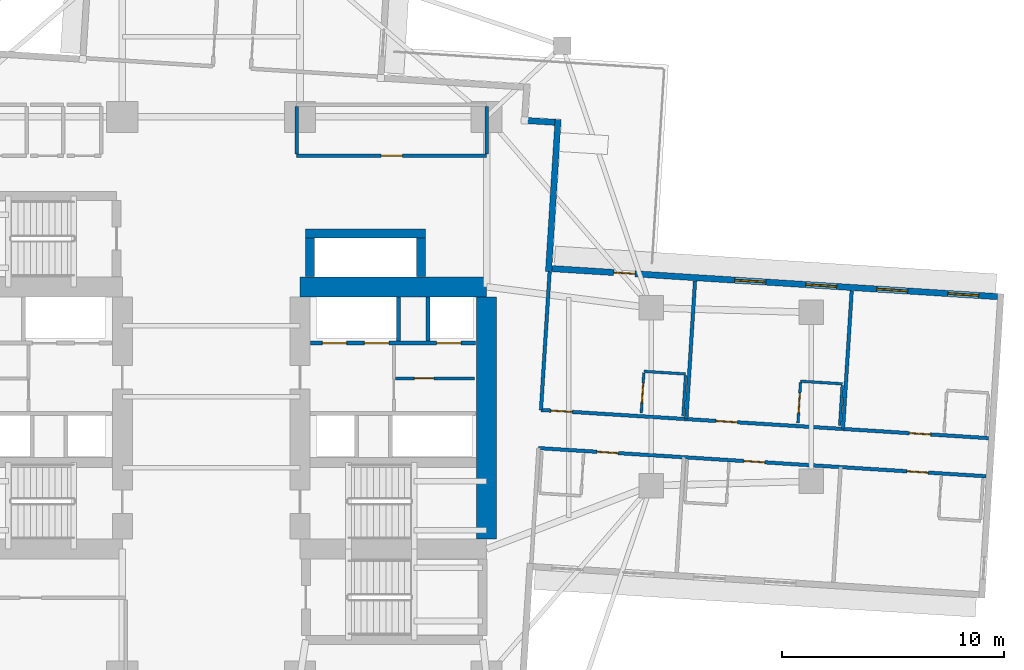
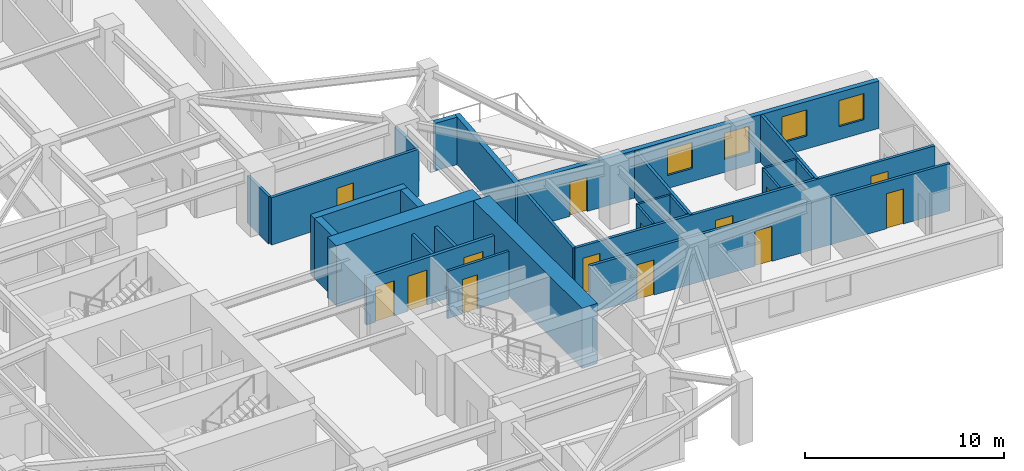
# One storey, part 7 of 14: 26 walls, 14 doors, 4 windows, 18 openings.
"""IFC4 building model written with IfcOpenShell, lengths in metres."""

from ifc_helpers import new_model, si_unit, direction, frame, frame_2d, origin, place, context, subcontext, project, spatial, rectangle, extrude, material, layer, layer_set, type_object, element, fill, save


model = new_model("IFC4")

# Units and contexts
model_context = context("Model", 3, precision=1e-05, world=origin(), true_north=direction((0.0, 1.0)))
body_context = subcontext(model_context, "Body", "Model", "MODEL_VIEW")
ifc_project = project(units=[si_unit("LENGTHUNIT", "METRE"), si_unit("AREAUNIT", "SQUARE_METRE"), si_unit("VOLUMEUNIT", "CUBIC_METRE"), si_unit("PLANEANGLEUNIT", "RADIAN"), si_unit("MASSUNIT", "GRAM", prefix="KILO")], contexts=[model_context])

# Site, building, storey
site_placement = place(None, origin())
site = spatial("IfcSite", under=ifc_project, at=site_placement, CompositionType="ELEMENT")
building_placement = place(site_placement, origin())
building = spatial("IfcBuilding", under=site, at=building_placement, Name="Qingluan Cross Belvedere", CompositionType="ELEMENT")
storey_placement = place(building_placement, frame((0.0, 0.0, 79.5)))
storey = spatial("IfcBuildingStorey", under=building, at=storey_placement, Name="L20", CompositionType="ELEMENT", Elevation=79.5)

# Walls
ifc_material_1 = material(Name="Concrete C50", Category="concrete")
ifc_layer_1 = layer(ifc_material_1, 0.449951171875, Name="CoreShearWall_450")
ifc_layer_set_1 = layer_set([ifc_layer_1], Name="Concrete C50")
wall_type_1 = type_object("IfcWallType", Name="CoreShearWall_450", PredefinedType="SHEAR", material=ifc_layer_set_1)
wall_1_placement = place(storey_placement, frame((4.449951171875, 5.405029296875, 0.0), z_axis=(0.0, 0.0, 1.0), x_axis=(0.0, 1.0, 0.0)))
element("IfcWall", 1, at=wall_1_placement, inside=storey, type_object=wall_type_1, Name="Express shuttle core wall L20-W", PredefinedType="SHEAR", context=body_context, shape_type="SweptSolid", body=[
    extrude(rectangle(XDim=1.73486328125, YDim=0.39990234375, at=frame_2d((0.867431640625, 0.0))), origin(), (0.0, 0.0, 1.0), 3.699951171875),
])
wall_2_placement = place(storey_placement, frame((4.25, 7.35009765625, 0.0), z_axis=(0.0, 0.0, 1.0), x_axis=(1.0, 0.0, 0.0)))
element("IfcWall", 2, at=wall_2_placement, inside=storey, type_object=wall_type_1, Name="Express shuttle core wall L20-N", PredefinedType="SHEAR", context=body_context, shape_type="SweptSolid", body=[
    extrude(rectangle(XDim=5.39990234375, YDim=0.39990234375, at=frame_2d((2.699951171875, 0.0))), origin(), (0.0, 0.0, 1.0), 3.699951171875),
])
wall_3_placement = place(storey_placement, frame((9.449951171875, 5.405029296875, 0.0), z_axis=(0.0, 0.0, 1.0), x_axis=(0.0, 1.0, 0.0)))
element("IfcWall", 3, at=wall_3_placement, inside=storey, type_object=wall_type_1, Name="Express shuttle core wall L20-E", PredefinedType="SHEAR", context=body_context, shape_type="SweptSolid", body=[
    extrude(rectangle(XDim=1.73486328125, YDim=0.39990234375, at=frame_2d((0.867431640625, 0.0))), origin(), (0.0, 0.0, 1.0), 3.699951171875),
])
ifc_material_2 = material(Name="Concrete C70", Category="concrete")
ifc_layer_2 = layer(ifc_material_2, 0.89990234375, Name="CoreShearWall_900")
ifc_layer_set_2 = layer_set([ifc_layer_2], Name="Concrete C70")
wall_type_2 = type_object("IfcWallType", Name="CoreShearWall_900", PredefinedType="SHEAR", material=ifc_layer_set_2)
wall_4_placement = place(storey_placement, frame((4.0, 4.949951171875, 0.0), z_axis=(0.0, 0.0, 1.0), x_axis=(1.0, 0.0, 0.0)))
element("IfcWall", 4, at=wall_4_placement, inside=storey, type_object=wall_type_2, Name="Split core E shear wall L20-N", PredefinedType="SHEAR", context=body_context, shape_type="SweptSolid", body=[
    extrude(rectangle(XDim=8.39990234375, YDim=0.89990234375, at=frame_2d((4.199951171875, 0.0))), origin(), (0.0, 0.0, 1.0), 3.699951171875),
])
wall_5_placement = place(storey_placement, frame((12.39990234375, -6.39501953125, 0.0), z_axis=(0.0, 0.0, 1.0), x_axis=(0.0, 1.0, 0.0)))
element("IfcWall", 5, at=wall_5_placement, inside=storey, type_object=wall_type_2, Name="Split core E shear wall L20-E", PredefinedType="SHEAR", context=body_context, shape_type="SweptSolid", body=[
    extrude(rectangle(XDim=10.89013671875, YDim=0.89990234375, at=frame_2d((5.445068359375, 0.0))), origin(), (0.0, 0.0, 1.0), 3.699951171875),
])

# Wall, opening, door
ifc_material_3 = material(Name="Gypsum plasterboard on steel stud acoustic partition", Category="steel")
ifc_layer_3 = layer(ifc_material_3, 0.159912109375, Name="CorridorPartition_160")
ifc_layer_set_3 = layer_set([ifc_layer_3], Name="Gypsum plasterboard on steel stud acoustic partition")
wall_type_3 = type_object("IfcWallType", Name="CorridorPartition_160", PredefinedType="PARTITIONING", material=ifc_layer_set_3)
wall_6_placement = place(storey_placement, frame((8.298095703125, 0.830078125, 0.0), z_axis=(0.0, 0.0, 1.0), x_axis=(1.0, 0.0, 0.0)))
wall_6 = element("IfcWall", 6, at=wall_6_placement, inside=storey, type_object=wall_type_3, Name="Partition L20:e", PredefinedType="PARTITIONING", context=body_context, shape_type="SweptSolid", body=[
    extrude(rectangle(XDim=3.552001953125, YDim=0.139892578125, at=frame_2d((1.77587890625, 0.0))), origin(), (0.0, 0.0, 1.0), 2.89990234375),
])
opening_1_placement = place(wall_6_placement, frame((0.85009765625, 0.0, 0.0)))
opening_1 = element("IfcOpeningElement", 7, at=opening_1_placement, cuts=wall_6, Name="Opening FD-B10", PredefinedType="OPENING", context=body_context, shape_type="SweptSolid", body=[
    extrude(rectangle(XDim=0.8798828125, YDim=2.10009765625, at=frame_2d((0.43994140625, 1.050048828125))), frame((0.0, 0.079833984375, 0.0), z_axis=(0.0, -1.0, 0.0), x_axis=(1.0, 0.0, 0.0)), (0.0, 0.0, 1.0), 0.159912109375),
])
ifc_material_4 = material(Name="Steel Class B service fire door", Category="steel")
door_type_1 = type_object("IfcDoorType", Name="RiserServiceFireDoor_FDB", OperationType="NOTDEFINED", PredefinedType="DOOR", material=ifc_material_4)
door_1_placement = place(opening_1_placement, origin())
door_1 = element("IfcDoor", 8, at=door_1_placement, inside=storey, type_object=door_type_1, Name="Service closet inner door L20", OperationType="SINGLE_SWING_LEFT", OverallHeight=2.10009765625, OverallWidth=0.8798828125, PredefinedType="DOOR", context=body_context, shape_type="SweptSolid", body=[
    extrude(rectangle(XDim=0.8798828125, YDim=2.10009765625, at=frame_2d((0.43994140625, 1.050048828125))), frame((0.0, 0.02490234375, 0.0), z_axis=(0.0, -1.0, 0.0), x_axis=(1.0, 0.0, 0.0)), (0.0, 0.0, 1.0), 0.050048828125),
])
fill(opening_1, door_1)

wall_7_placement = place(storey_placement, frame((3.85009765625, 10.85009765625, 0.0), z_axis=(0.0, 0.0, 1.0), x_axis=(1.0, 0.0, 0.0)))
wall_7 = element("IfcWall", 9, at=wall_7_placement, inside=storey, type_object=wall_type_3, Name="Partition L20:q_ne:S", PredefinedType="PARTITIONING", context=body_context, shape_type="SweptSolid", body=[
    extrude(rectangle(XDim=8.5498046875, YDim=0.159912109375, at=frame_2d((4.27490234375, 0.0))), origin(), (0.0, 0.0, 1.0), 2.89990234375),
])
opening_2_placement = place(wall_7_placement, frame((3.794921875, 0.0, 0.0)))
opening_2 = element("IfcOpeningElement", 10, at=opening_2_placement, cuts=wall_7, Name="Opening GD-10", PredefinedType="OPENING", context=body_context, shape_type="SweptSolid", body=[
    extrude(rectangle(XDim=0.9599609375, YDim=2.14990234375, at=frame_2d((0.47998046875, 1.074951171875))), frame((0.0, 0.08984375, 0.0), z_axis=(0.0, -1.0, 0.0), x_axis=(1.0, 0.0, 0.0)), (0.0, 0.0, 1.0), 0.179931640625),
])
ifc_material_5 = material(Name="Timber oak fire-rated acoustic guestroom door", Category="wood")
door_type_2 = type_object("IfcDoorType", Name="GuestEntryDoor_FD60", OperationType="NOTDEFINED", PredefinedType="DOOR", material=ifc_material_5)
door_2_placement = place(opening_2_placement, origin())
door_2 = element("IfcDoor", 11, at=door_2_placement, inside=storey, type_object=door_type_2, Name="Cantonese tea lounge L20 door", OperationType="SINGLE_SWING_LEFT", OverallHeight=2.14990234375, OverallWidth=0.9599609375, PredefinedType="DOOR", context=body_context, shape_type="SweptSolid", body=[
    extrude(rectangle(XDim=0.9599609375, YDim=2.14990234375, at=frame_2d((0.47998046875, 1.074951171875))), frame((0.0, 0.02490234375, 0.0), z_axis=(0.0, -1.0, 0.0), x_axis=(1.0, 0.0, 0.0)), (0.0, 0.0, 1.0), 0.050048828125),
])
fill(opening_2, door_2)

# Walls
for number, where, z_axis, x_axis, name in (
    (12, (3.85009765625, 10.93505859375, 0.0), (0.0, 0.0, 1.0), (0.0, 1.0, 0.0), "Partition L20:q_ne:W"),
    (13, (12.39990234375, 10.93505859375, 0.0), (0.0, 0.0, 1.0), (0.0, 1.0, 0.0), "Partition L20:q_ne:E"),
):
    element("IfcWall", number, at=place(storey_placement, frame(where, z_axis=z_axis, x_axis=x_axis)), inside=storey, type_object=wall_type_3, Name=name, PredefinedType="PARTITIONING", context=body_context, shape_type="SweptSolid", body=[
        extrude(rectangle(XDim=2.1298828125, YDim=0.159912109375, at=frame_2d((1.06494140625, 0.0))), origin(), (0.0, 0.0, 1.0), 2.89990234375),
    ])

# Wall, openings, doors
wall_8_placement = place(storey_placement, frame((14.842041015625, -0.593017578125, 0.0), z_axis=(0.0, 0.0, 1.0), x_axis=(0.998026414479, -0.062795509413, 0.0)))
wall_8 = element("IfcWall", 14, at=wall_8_placement, inside=storey, type_object=wall_type_3, Name="Partition L20:E:c0", PredefinedType="PARTITIONING", context=body_context, shape_type="SweptSolid", body=[
    extrude(rectangle(XDim=20.181884765625, YDim=0.159912109375, at=frame_2d((10.0908203125, 0.0))), origin(), (0.0, 0.0, 1.0), 2.89990234375),
])
opening_3_placement = place(wall_8_placement, frame((0.449951171875, 0.0, 0.0)))
opening_3 = element("IfcOpeningElement", 15, at=opening_3_placement, cuts=wall_8, Name="Opening GD-10", PredefinedType="OPENING", context=body_context, shape_type="SweptSolid", body=[
    extrude(rectangle(XDim=0.9599609375, YDim=2.14990234375, at=frame_2d((0.47998046875, 1.074951171875))), frame((0.0, 0.08984375, 0.0), z_axis=(0.0, -1.0, 0.0), x_axis=(1.0, 0.0, 0.0)), (0.0, 0.0, 1.0), 0.179931640625),
])
opening_4_placement = place(wall_8_placement, frame((7.89599609375, 0.0, 0.0)))
opening_4 = element("IfcOpeningElement", 16, at=opening_4_placement, cuts=wall_8, Name="Opening GD-10", PredefinedType="OPENING", context=body_context, shape_type="SweptSolid", body=[
    extrude(rectangle(XDim=0.9599609375, YDim=2.14990234375, at=frame_2d((0.47998046875, 1.074951171875))), frame((0.0, 0.08984375, 0.0), z_axis=(0.0, -1.0, 0.0), x_axis=(1.0, 0.0, 0.0)), (0.0, 0.0, 1.0), 0.179931640625),
])
opening_5_placement = place(wall_8_placement, frame((16.611083984375, 0.0, 0.0)))
opening_5 = element("IfcOpeningElement", 17, at=opening_5_placement, cuts=wall_8, Name="Opening GD-10", PredefinedType="OPENING", context=body_context, shape_type="SweptSolid", body=[
    extrude(rectangle(XDim=0.9599609375, YDim=2.14990234375, at=frame_2d((0.47998046875, 1.074951171875))), frame((0.0, 0.08984375, 0.0), z_axis=(0.0, -1.0, 0.0), x_axis=(1.0, 0.0, 0.0)), (0.0, 0.0, 1.0), 0.179931640625),
])
door_3_placement = place(opening_3_placement, origin())
door_3 = element("IfcDoor", 18, at=door_3_placement, inside=storey, type_object=door_type_2, Name="Guest entry fire door 2001", OperationType="SINGLE_SWING_LEFT", OverallHeight=2.14990234375, OverallWidth=0.9599609375, PredefinedType="DOOR", context=body_context, shape_type="SweptSolid", body=[
    extrude(rectangle(XDim=0.9599609375, YDim=2.14990234375, at=frame_2d((0.47998046875, 1.074951171875))), frame((0.0, 0.02490234375, 0.0), z_axis=(0.0, -1.0, 0.0), x_axis=(1.0, 0.0, 0.0)), (0.0, 0.0, 1.0), 0.050048828125),
])
fill(opening_3, door_3)
door_4_placement = place(opening_4_placement, origin())
door_4 = element("IfcDoor", 19, at=door_4_placement, inside=storey, type_object=door_type_2, Name="Guest entry fire door 2002", OperationType="SINGLE_SWING_LEFT", OverallHeight=2.14990234375, OverallWidth=0.9599609375, PredefinedType="DOOR", context=body_context, shape_type="SweptSolid", body=[
    extrude(rectangle(XDim=0.9599609375, YDim=2.14990234375, at=frame_2d((0.47998046875, 1.074951171875))), frame((0.0, 0.02490234375, 0.0), z_axis=(0.0, -1.0, 0.0), x_axis=(1.0, 0.0, 0.0)), (0.0, 0.0, 1.0), 0.050048828125),
])
fill(opening_4, door_4)
door_5_placement = place(opening_5_placement, origin())
door_5 = element("IfcDoor", 20, at=door_5_placement, inside=storey, type_object=door_type_2, Name="Guest entry fire door 2003", OperationType="SINGLE_SWING_LEFT", OverallHeight=2.14990234375, OverallWidth=0.9599609375, PredefinedType="DOOR", context=body_context, shape_type="SweptSolid", body=[
    extrude(rectangle(XDim=0.9599609375, YDim=2.14990234375, at=frame_2d((0.47998046875, 1.074951171875))), frame((0.0, 0.02490234375, 0.0), z_axis=(0.0, -1.0, 0.0), x_axis=(1.0, 0.0, 0.0)), (0.0, 0.0, 1.0), 0.050048828125),
])
fill(opening_5, door_5)

# Walls
for number, where, z_axis, x_axis, name in (
    (21, (14.842041015625, -0.593017578125, 0.0), (0.0, 0.0, 1.0), (0.062797774922, 0.998026271931, 0.0), "Partition L20:E:s0"),
    (22, (21.385009765625, -1.0048828125, 0.0), (0.0, 0.0, 1.0), (0.062797774922, 0.998026271931, 0.0), "Partition L20:E:d0_0"),
    (23, (28.436279296875, -1.448486328125, 0.0), (0.0, 0.0, 1.0), (0.062758754111, 0.998028726431, 0.0), "Partition L20:E:d0_1"),
):
    element("IfcWall", number, at=place(storey_placement, frame(where, z_axis=z_axis, x_axis=x_axis)), inside=storey, type_object=wall_type_3, Name=name, PredefinedType="PARTITIONING", context=body_context, shape_type="SweptSolid", body=[
        extrude(rectangle(XDim=6.23193359375, YDim=0.159912109375, at=frame_2d((3.115966796875, 0.0))), origin(), (0.0, 0.0, 1.0), 2.89990234375),
    ])

# Wall, openings, doors
wall_9_placement = place(storey_placement, frame((14.73388671875, -2.309814453125, 0.0), z_axis=(0.0, 0.0, 1.0), x_axis=(0.998027220227, -0.06278270212, 0.0)))
wall_9 = element("IfcWall", 24, at=wall_9_placement, inside=storey, type_object=wall_type_3, Name="Partition L20:E:c1", PredefinedType="PARTITIONING", context=body_context, shape_type="SweptSolid", body=[
    extrude(rectangle(XDim=20.18212890625, YDim=0.159912109375, at=frame_2d((10.091064453125, 0.0))), origin(), (0.0, 0.0, 1.0), 2.89990234375),
])
opening_6_placement = place(wall_9_placement, frame((2.635986328125, 0.0, 0.0)))
opening_6 = element("IfcOpeningElement", 25, at=opening_6_placement, cuts=wall_9, Name="Opening GD-10", PredefinedType="OPENING", context=body_context, shape_type="SweptSolid", body=[
    extrude(rectangle(XDim=0.9599609375, YDim=2.14990234375, at=frame_2d((0.47998046875, 1.074951171875))), frame((0.0, 0.08984375, 0.0), z_axis=(0.0, -1.0, 0.0), x_axis=(1.0, 0.0, 0.0)), (0.0, 0.0, 1.0), 0.179931640625),
])
opening_7_placement = place(wall_9_placement, frame((9.242919921875, 0.0, 0.0)))
opening_7 = element("IfcOpeningElement", 26, at=opening_7_placement, cuts=wall_9, Name="Opening GD-10", PredefinedType="OPENING", context=body_context, shape_type="SweptSolid", body=[
    extrude(rectangle(XDim=0.9599609375, YDim=2.14990234375, at=frame_2d((0.47998046875, 1.074951171875))), frame((0.0, 0.08984375, 0.0), z_axis=(0.0, -1.0, 0.0), x_axis=(1.0, 0.0, 0.0)), (0.0, 0.0, 1.0), 0.179931640625),
])
opening_8_placement = place(wall_9_placement, frame((16.611083984375, 0.0, 0.0)))
opening_8 = element("IfcOpeningElement", 27, at=opening_8_placement, cuts=wall_9, Name="Opening GD-10", PredefinedType="OPENING", context=body_context, shape_type="SweptSolid", body=[
    extrude(rectangle(XDim=0.9599609375, YDim=2.14990234375, at=frame_2d((0.47998046875, 1.074951171875))), frame((0.0, 0.08984375, 0.0), z_axis=(0.0, -1.0, 0.0), x_axis=(1.0, 0.0, 0.0)), (0.0, 0.0, 1.0), 0.179931640625),
])
door_6_placement = place(opening_6_placement, origin())
door_6 = element("IfcDoor", 28, at=door_6_placement, inside=storey, type_object=door_type_2, Name="Guest entry fire door 2004", OperationType="SINGLE_SWING_LEFT", OverallHeight=2.14990234375, OverallWidth=0.9599609375, PredefinedType="DOOR", context=body_context, shape_type="SweptSolid", body=[
    extrude(rectangle(XDim=0.9599609375, YDim=2.14990234375, at=frame_2d((0.47998046875, 1.074951171875))), frame((0.0, 0.02490234375, 0.0), z_axis=(0.0, -1.0, 0.0), x_axis=(1.0, 0.0, 0.0)), (0.0, 0.0, 1.0), 0.050048828125),
])
fill(opening_6, door_6)
door_7_placement = place(opening_7_placement, origin())
door_7 = element("IfcDoor", 29, at=door_7_placement, inside=storey, type_object=door_type_2, Name="Guest entry fire door 2005", OperationType="SINGLE_SWING_LEFT", OverallHeight=2.14990234375, OverallWidth=0.9599609375, PredefinedType="DOOR", context=body_context, shape_type="SweptSolid", body=[
    extrude(rectangle(XDim=0.9599609375, YDim=2.14990234375, at=frame_2d((0.47998046875, 1.074951171875))), frame((0.0, 0.02490234375, 0.0), z_axis=(0.0, -1.0, 0.0), x_axis=(1.0, 0.0, 0.0)), (0.0, 0.0, 1.0), 0.050048828125),
])
fill(opening_7, door_7)
door_8_placement = place(opening_8_placement, origin())
door_8 = element("IfcDoor", 30, at=door_8_placement, inside=storey, type_object=door_type_2, Name="Guest entry fire door 2006", OperationType="SINGLE_SWING_LEFT", OverallHeight=2.14990234375, OverallWidth=0.9599609375, PredefinedType="DOOR", context=body_context, shape_type="SweptSolid", body=[
    extrude(rectangle(XDim=0.9599609375, YDim=2.14990234375, at=frame_2d((0.47998046875, 1.074951171875))), frame((0.0, 0.02490234375, 0.0), z_axis=(0.0, -1.0, 0.0), x_axis=(1.0, 0.0, 0.0)), (0.0, 0.0, 1.0), 0.050048828125),
])
fill(opening_8, door_8)

# Wall, opening, door
ifc_material_6 = material(Name="Moisture-resistant gypsum board lining")
ifc_layer_4 = layer(ifc_material_6, 0.1201171875, Name="EnsuiteWetPartition_120")
ifc_layer_set_4 = layer_set([ifc_layer_4], Name="Moisture-resistant gypsum board lining")
wall_type_4 = type_object("IfcWallType", Name="EnsuiteWetPartition_120", PredefinedType="PARTITIONING", material=ifc_layer_set_4)
wall_10_placement = place(storey_placement, frame((19.35791015625, -0.73681640625, 0.0), z_axis=(0.0, 0.0, 1.0), x_axis=(0.062779145668, 0.998027443946, 0.0)))
wall_10 = element("IfcWall", 31, at=wall_10_placement, inside=storey, type_object=wall_type_4, Name="Partition L20:E:bs0_0", PredefinedType="PARTITIONING", context=body_context, shape_type="SweptSolid", body=[
    extrude(rectangle(XDim=1.820068359375, YDim=0.1201171875, at=frame_2d((0.91015625, 0.0))), origin(), (0.0, 0.0, 1.0), 2.89990234375),
])
opening_9_placement = place(wall_10_placement, frame((0.469970703125, 0.0, 0.0)))
opening_9 = element("IfcOpeningElement", 32, at=opening_9_placement, cuts=wall_10, Name="Opening BD-09", PredefinedType="OPENING", context=body_context, shape_type="SweptSolid", body=[
    extrude(rectangle(XDim=0.8798828125, YDim=2.10009765625, at=frame_2d((0.43994140625, 1.050048828125))), frame((0.0, 0.070068359375, 0.0), z_axis=(0.0, -1.0, 0.0), x_axis=(1.0, 0.0, 0.0)), (0.0, 0.0, 1.0), 0.14013671875),
])
ifc_material_7 = material(Name="Moisture-sealed timber en-suite door", Category="wood")
door_type_3 = type_object("IfcDoorType", Name="BathroomDoor_880", OperationType="NOTDEFINED", PredefinedType="DOOR", material=ifc_material_7)
door_9_placement = place(opening_9_placement, origin())
door_9 = element("IfcDoor", 33, at=door_9_placement, inside=storey, type_object=door_type_3, Name="Bathroom door 2001", OperationType="SINGLE_SWING_RIGHT", OverallHeight=2.10009765625, OverallWidth=0.8798828125, PredefinedType="DOOR", context=body_context, shape_type="SweptSolid", body=[
    extrude(rectangle(XDim=0.8798828125, YDim=2.10009765625, at=frame_2d((0.43994140625, 1.050048828125))), frame((0.0, 0.02490234375, 0.0), z_axis=(0.0, -1.0, 0.0), x_axis=(1.0, 0.0, 0.0)), (0.0, 0.0, 1.0), 0.050048828125),
])
fill(opening_9, door_9)

# Walls
wall_11_placement = place(storey_placement, frame((21.234130859375, -0.85498046875, 0.0), z_axis=(0.0, 0.0, 1.0), x_axis=(0.062779145668, 0.998027443946, 0.0)))
element("IfcWall", 34, at=wall_11_placement, inside=storey, type_object=wall_type_4, Name="Partition L20:E:bw0_0", PredefinedType="PARTITIONING", context=body_context, shape_type="SweptSolid", body=[
    extrude(rectangle(XDim=1.820068359375, YDim=0.1201171875, at=frame_2d((0.91015625, 0.0))), origin(), (0.0, 0.0, 1.0), 2.89990234375),
])
wall_12_placement = place(storey_placement, frame((19.476318359375, 1.144287109375, 0.0), z_axis=(0.0, 0.0, 1.0), x_axis=(0.998030789148, -0.062725942896, 0.0)))
element("IfcWall", 35, at=wall_12_placement, inside=storey, type_object=wall_type_4, Name="Partition L20:E:bn0_0", PredefinedType="PARTITIONING", context=body_context, shape_type="SweptSolid", body=[
    extrude(rectangle(XDim=1.8798828125, YDim=0.1201171875, at=frame_2d((0.93994140625, 0.0))), origin(), (0.0, 0.0, 1.0), 2.89990234375),
])

# Wall, opening, door
wall_13_placement = place(storey_placement, frame((26.408935546875, -1.1806640625, 0.0), z_axis=(0.0, 0.0, 1.0), x_axis=(0.062779145668, 0.998027443946, 0.0)))
wall_13 = element("IfcWall", 36, at=wall_13_placement, inside=storey, type_object=wall_type_4, Name="Partition L20:E:bs0_1", PredefinedType="PARTITIONING", context=body_context, shape_type="SweptSolid", body=[
    extrude(rectangle(XDim=1.820068359375, YDim=0.1201171875, at=frame_2d((0.91015625, 0.0))), origin(), (0.0, 0.0, 1.0), 2.89990234375),
])
opening_10_placement = place(wall_13_placement, frame((0.469970703125, 0.0, 0.0)))
opening_10 = element("IfcOpeningElement", 37, at=opening_10_placement, cuts=wall_13, Name="Opening BD-09", PredefinedType="OPENING", context=body_context, shape_type="SweptSolid", body=[
    extrude(rectangle(XDim=0.8798828125, YDim=2.10009765625, at=frame_2d((0.43994140625, 1.050048828125))), frame((0.0, 0.070068359375, 0.0), z_axis=(0.0, -1.0, 0.0), x_axis=(1.0, 0.0, 0.0)), (0.0, 0.0, 1.0), 0.14013671875),
])
door_10_placement = place(opening_10_placement, origin())
door_10 = element("IfcDoor", 38, at=door_10_placement, inside=storey, type_object=door_type_3, Name="Bathroom door 2002", OperationType="SINGLE_SWING_RIGHT", OverallHeight=2.10009765625, OverallWidth=0.8798828125, PredefinedType="DOOR", context=body_context, shape_type="SweptSolid", body=[
    extrude(rectangle(XDim=0.8798828125, YDim=2.10009765625, at=frame_2d((0.43994140625, 1.050048828125))), frame((0.0, 0.02490234375, 0.0), z_axis=(0.0, -1.0, 0.0), x_axis=(1.0, 0.0, 0.0)), (0.0, 0.0, 1.0), 0.050048828125),
])
fill(opening_10, door_10)

# Walls
wall_14_placement = place(storey_placement, frame((28.285400390625, -1.298583984375, 0.0), z_axis=(0.0, 0.0, 1.0), x_axis=(0.062779145668, 0.998027443946, 0.0)))
element("IfcWall", 39, at=wall_14_placement, inside=storey, type_object=wall_type_4, Name="Partition L20:E:bw0_1", PredefinedType="PARTITIONING", context=body_context, shape_type="SweptSolid", body=[
    extrude(rectangle(XDim=1.820068359375, YDim=0.1201171875, at=frame_2d((0.91015625, 0.0))), origin(), (0.0, 0.0, 1.0), 2.89990234375),
])
wall_15_placement = place(storey_placement, frame((26.52734375, 0.70068359375, 0.0), z_axis=(0.0, 0.0, 1.0), x_axis=(0.998030789148, -0.062725942896, 0.0)))
element("IfcWall", 40, at=wall_15_placement, inside=storey, type_object=wall_type_4, Name="Partition L20:E:bn0_1", PredefinedType="PARTITIONING", context=body_context, shape_type="SweptSolid", body=[
    extrude(rectangle(XDim=1.8798828125, YDim=0.1201171875, at=frame_2d((0.93994140625, 0.0))), origin(), (0.0, 0.0, 1.0), 2.89990234375),
])

# Wall, openings, windows, door
ifc_material_8 = material(Name="Precast concrete C45", Category="concrete")
ifc_layer_5 = layer(ifc_material_8, 0.280029296875, Name="PrecastFacadeWall_280")
ifc_layer_set_5 = layer_set([ifc_layer_5], Name="Precast concrete C45")
wall_type_5 = type_object("IfcWallType", Name="PrecastFacadeWall_280", PredefinedType="STANDARD", material=ifc_layer_set_5)
wall_16_placement = place(storey_placement, frame((35.392822265625, 4.506591796875, 0.0), z_axis=(0.0, 0.0, 1.0), x_axis=(-0.998027116198, 0.062784355807, 0.0)))
wall_16 = element("IfcWall", 41, at=wall_16_placement, inside=storey, type_object=wall_type_5, Name="Facade wall L20-EB", PredefinedType="STANDARD", context=body_context, shape_type="SweptSolid", body=[
    extrude(rectangle(XDim=20.099853515625, YDim=0.280029296875, at=frame_2d((10.0498046875, 0.0))), origin(), (0.0, 0.0, 1.0), 2.909912109375),
])
opening_11_placement = place(wall_16_placement, frame((0.85009765625, 0.0, 0.800048828125)))
opening_11 = element("IfcOpeningElement", 42, at=opening_11_placement, cuts=wall_16, Name="Opening W-01", PredefinedType="OPENING", context=body_context, shape_type="SweptSolid", body=[
    extrude(rectangle(XDim=1.39990234375, YDim=1.60009765625, at=frame_2d((0.699951171875, 0.800048828125))), frame((0.0, 0.14990234375, 0.0), z_axis=(0.0, -1.0, 0.0), x_axis=(1.0, 0.0, 0.0)), (0.0, 0.0, 1.0), 0.300048828125),
])
opening_12_placement = place(wall_16_placement, frame((4.050048828125, 0.0, 0.800048828125)))
opening_12 = element("IfcOpeningElement", 43, at=opening_12_placement, cuts=wall_16, Name="Opening W-01", PredefinedType="OPENING", context=body_context, shape_type="SweptSolid", body=[
    extrude(rectangle(XDim=1.39990234375, YDim=1.60009765625, at=frame_2d((0.699951171875, 0.800048828125))), frame((0.0, 0.14990234375, 0.0), z_axis=(0.0, -1.0, 0.0), x_axis=(1.0, 0.0, 0.0)), (0.0, 0.0, 1.0), 0.300048828125),
])
opening_13_placement = place(wall_16_placement, frame((7.25, 0.0, 0.800048828125)))
opening_13 = element("IfcOpeningElement", 44, at=opening_13_placement, cuts=wall_16, Name="Opening W-01", PredefinedType="OPENING", context=body_context, shape_type="SweptSolid", body=[
    extrude(rectangle(XDim=1.39990234375, YDim=1.60009765625, at=frame_2d((0.699951171875, 0.800048828125))), frame((0.0, 0.14990234375, 0.0), z_axis=(0.0, -1.0, 0.0), x_axis=(1.0, 0.0, 0.0)), (0.0, 0.0, 1.0), 0.300048828125),
])
opening_14_placement = place(wall_16_placement, frame((10.449951171875, 0.0, 0.800048828125)))
opening_14 = element("IfcOpeningElement", 45, at=opening_14_placement, cuts=wall_16, Name="Opening W-01", PredefinedType="OPENING", context=body_context, shape_type="SweptSolid", body=[
    extrude(rectangle(XDim=1.39990234375, YDim=1.60009765625, at=frame_2d((0.699951171875, 0.800048828125))), frame((0.0, 0.14990234375, 0.0), z_axis=(0.0, -1.0, 0.0), x_axis=(1.0, 0.0, 0.0)), (0.0, 0.0, 1.0), 0.300048828125),
])
opening_15_placement = place(wall_16_placement, frame((16.35009765625, 0.0, 0.0)))
opening_15 = element("IfcOpeningElement", 46, at=opening_15_placement, cuts=wall_16, Name="Opening WD-10", PredefinedType="OPENING", context=body_context, shape_type="SweptSolid", body=[
    extrude(rectangle(XDim=0.9599609375, YDim=2.10009765625, at=frame_2d((0.47998046875, 1.050048828125))), frame((0.0, 0.14990234375, 0.0), z_axis=(0.0, -1.0, 0.0), x_axis=(1.0, 0.0, 0.0)), (0.0, 0.0, 1.0), 0.300048828125),
])
ifc_material_9 = material(Name="Thermally broken triple Low-E glass in aluminium frame", Category="aluminium")
window_type = type_object("IfcWindowType", Name="TriRibbonWin_1400x1600", PartitioningType="SINGLE_PANEL", PredefinedType="WINDOW", material=ifc_material_9)
window_1_placement = place(opening_11_placement, origin())
window_1 = element("IfcWindow", 47, at=window_1_placement, inside=storey, type_object=window_type, Name="Ribbon window L20-EB-1", OverallHeight=1.60009765625, OverallWidth=1.39990234375, PartitioningType="SINGLE_PANEL", PredefinedType="WINDOW", context=body_context, shape_type="SweptSolid", body=[
    extrude(rectangle(XDim=1.39990234375, YDim=1.60009765625, at=frame_2d((0.699951171875, 0.800048828125))), frame((0.0, 0.030029296875, 0.0), z_axis=(0.0, -1.0, 0.0), x_axis=(1.0, 0.0, 0.0)), (0.0, 0.0, 1.0), 0.06005859375),
])
fill(opening_11, window_1)
window_2_placement = place(opening_12_placement, origin())
window_2 = element("IfcWindow", 48, at=window_2_placement, inside=storey, type_object=window_type, Name="Ribbon window L20-EB-2", OverallHeight=1.60009765625, OverallWidth=1.39990234375, PartitioningType="SINGLE_PANEL", PredefinedType="WINDOW", context=body_context, shape_type="SweptSolid", body=[
    extrude(rectangle(XDim=1.39990234375, YDim=1.60009765625, at=frame_2d((0.699951171875, 0.800048828125))), frame((0.0, 0.030029296875, 0.0), z_axis=(0.0, -1.0, 0.0), x_axis=(1.0, 0.0, 0.0)), (0.0, 0.0, 1.0), 0.06005859375),
])
fill(opening_12, window_2)
window_3_placement = place(opening_13_placement, origin())
window_3 = element("IfcWindow", 49, at=window_3_placement, inside=storey, type_object=window_type, Name="Ribbon window L20-EB-3", OverallHeight=1.60009765625, OverallWidth=1.39990234375, PartitioningType="SINGLE_PANEL", PredefinedType="WINDOW", context=body_context, shape_type="SweptSolid", body=[
    extrude(rectangle(XDim=1.39990234375, YDim=1.60009765625, at=frame_2d((0.699951171875, 0.800048828125))), frame((0.0, 0.030029296875, 0.0), z_axis=(0.0, -1.0, 0.0), x_axis=(1.0, 0.0, 0.0)), (0.0, 0.0, 1.0), 0.06005859375),
])
fill(opening_13, window_3)
window_4_placement = place(opening_14_placement, origin())
window_4 = element("IfcWindow", 50, at=window_4_placement, inside=storey, type_object=window_type, Name="Ribbon window L20-EB-4", OverallHeight=1.60009765625, OverallWidth=1.39990234375, PartitioningType="SINGLE_PANEL", PredefinedType="WINDOW", context=body_context, shape_type="SweptSolid", body=[
    extrude(rectangle(XDim=1.39990234375, YDim=1.60009765625, at=frame_2d((0.699951171875, 0.800048828125))), frame((0.0, 0.030029296875, 0.0), z_axis=(0.0, -1.0, 0.0), x_axis=(1.0, 0.0, 0.0)), (0.0, 0.0, 1.0), 0.06005859375),
])
fill(opening_14, window_4)
ifc_material_10 = material(Name="Thermally broken aluminium and Low-E glass", Category="aluminium")
door_type_4 = type_object("IfcDoorType", Name="WinterGardenDoor_096", OperationType="NOTDEFINED", PredefinedType="DOOR", material=ifc_material_10)
door_11_placement = place(opening_15_placement, origin())
door_11 = element("IfcDoor", 51, at=door_11_placement, inside=storey, type_object=door_type_4, Name="Outdoor terrace access door L20-spi", OperationType="SINGLE_SWING_RIGHT", OverallHeight=2.10009765625, OverallWidth=0.9599609375, PredefinedType="DOOR", context=body_context, shape_type="SweptSolid", body=[
    extrude(rectangle(XDim=0.9599609375, YDim=2.10009765625, at=frame_2d((0.47998046875, 1.050048828125))), frame((0.0, 0.02490234375, 0.0), z_axis=(0.0, -1.0, 0.0), x_axis=(1.0, 0.0, 0.0)), (0.0, 0.0, 1.0), 0.050048828125),
])
fill(opening_15, door_11)

# Walls
wall_17_placement = place(storey_placement, frame((15.18408203125, 5.6376953125, 0.0), z_axis=(0.0, 0.0, 1.0), x_axis=(0.062779317195, 0.998027433156, 0.0)))
element("IfcWall", 52, at=wall_17_placement, inside=storey, type_object=wall_type_5, Name="Corner wall L20-NE1", PredefinedType="STANDARD", context=body_context, shape_type="SweptSolid", body=[
    extrude(rectangle(XDim=6.85986328125, YDim=0.280029296875, at=frame_2d((3.429931640625, 0.0))), origin(), (0.0, 0.0, 1.0), 2.909912109375),
])
wall_18_placement = place(storey_placement, frame((15.46630859375, 12.353271484375, 0.0), z_axis=(0.0, 0.0, 1.0), x_axis=(-0.998024450254, 0.062826719603, 0.0)))
element("IfcWall", 53, at=wall_18_placement, inside=storey, type_object=wall_type_5, Name="Corner wall L20-NE2", PredefinedType="STANDARD", context=body_context, shape_type="SweptSolid", body=[
    extrude(rectangle(XDim=1.22021484375, YDim=0.280029296875, at=frame_2d((0.610107421875, 0.0))), origin(), (0.0, 0.0, 1.0), 2.909912109375),
])

# Wall, openings, doors
ifc_material_11 = material(Name="Concrete C40", Category="concrete")
ifc_layer_6 = layer(ifc_material_11, 0.219970703125, Name="ShaftEnclosureWall_250")
ifc_layer_set_6 = layer_set([ifc_layer_6], Name="Concrete C40")
wall_type_6 = type_object("IfcWallType", Name="ShaftEnclosureWall_250", PredefinedType="SOLIDWALL", material=ifc_layer_set_6)
wall_19_placement = place(storey_placement, frame((4.47998046875, 2.409912109375, 0.0), z_axis=(0.0, 0.0, 1.0), x_axis=(1.0, 0.0, 0.0)))
wall_19 = element("IfcWall", 54, at=wall_19_placement, inside=storey, type_object=wall_type_6, Name="Core-E north hoistway wall L20", PredefinedType="SOLIDWALL", context=body_context, shape_type="SweptSolid", body=[
    extrude(rectangle(XDim=7.419921875, YDim=0.179931640625, at=frame_2d((3.7099609375, 0.0))), origin(), (0.0, 0.0, 1.0), 2.89990234375),
])
opening_16_placement = place(wall_19_placement, frame((5.669921875, 0.0, 0.0)))
opening_16 = element("IfcOpeningElement", 55, at=opening_16_placement, cuts=wall_19, Name="Opening LD-11", PredefinedType="OPENING", context=body_context, shape_type="SweptSolid", body=[
    extrude(rectangle(XDim=1.10009765625, YDim=2.14990234375, at=frame_2d((0.550048828125, 1.074951171875))), frame((0.0, 0.099853515625, 0.0), z_axis=(0.0, -1.0, 0.0), x_axis=(1.0, 0.0, 0.0)), (0.0, 0.0, 1.0), 0.199951171875),
])
opening_17_placement = place(wall_19_placement, frame((0.52001953125, 0.0, 0.0)))
opening_17 = element("IfcOpeningElement", 56, at=opening_17_placement, cuts=wall_19, Name="Opening LD-11", PredefinedType="OPENING", context=body_context, shape_type="SweptSolid", body=[
    extrude(rectangle(XDim=1.10009765625, YDim=2.14990234375, at=frame_2d((0.550048828125, 1.074951171875))), frame((0.0, 0.099853515625, 0.0), z_axis=(0.0, -1.0, 0.0), x_axis=(1.0, 0.0, 0.0)), (0.0, 0.0, 1.0), 0.199951171875),
])
opening_18_placement = place(wall_19_placement, frame((2.419921875, 0.0, 0.0)))
opening_18 = element("IfcOpeningElement", 57, at=opening_18_placement, cuts=wall_19, Name="Opening LD-11", PredefinedType="OPENING", context=body_context, shape_type="SweptSolid", body=[
    extrude(rectangle(XDim=1.10009765625, YDim=2.14990234375, at=frame_2d((0.550048828125, 1.074951171875))), frame((0.0, 0.099853515625, 0.0), z_axis=(0.0, -1.0, 0.0), x_axis=(1.0, 0.0, 0.0)), (0.0, 0.0, 1.0), 0.199951171875),
])
ifc_material_12 = material(Name="Brushed stainless steel centre-opening lift landing door", Category="steel")
door_type_5 = type_object("IfcDoorType", Name="LiftLandingSlidingDoor_1100", OperationType="DOUBLE_DOOR_SLIDING", PredefinedType="DOOR", material=ifc_material_12)
door_12_placement = place(opening_16_placement, origin())
door_12 = element("IfcDoor", 58, at=door_12_placement, inside=storey, type_object=door_type_5, Name="Lift landing sliding door FL2 L20", OperationType="DOUBLE_DOOR_SLIDING", OverallHeight=2.14990234375, OverallWidth=1.10009765625, PredefinedType="DOOR", context=body_context, shape_type="SweptSolid", body=[
    extrude(rectangle(XDim=1.10009765625, YDim=2.14990234375, at=frame_2d((0.550048828125, 1.074951171875))), frame((0.0, 0.02490234375, 0.0), z_axis=(0.0, -1.0, 0.0), x_axis=(1.0, 0.0, 0.0)), (0.0, 0.0, 1.0), 0.050048828125),
])
fill(opening_16, door_12)
door_13_placement = place(opening_17_placement, origin())
door_13 = element("IfcDoor", 59, at=door_13_placement, inside=storey, type_object=door_type_5, Name="Lift landing sliding door LP3 L20", OperationType="DOUBLE_DOOR_SLIDING", OverallHeight=2.14990234375, OverallWidth=1.10009765625, PredefinedType="DOOR", context=body_context, shape_type="SweptSolid", body=[
    extrude(rectangle(XDim=1.10009765625, YDim=2.14990234375, at=frame_2d((0.550048828125, 1.074951171875))), frame((0.0, 0.02490234375, 0.0), z_axis=(0.0, -1.0, 0.0), x_axis=(1.0, 0.0, 0.0)), (0.0, 0.0, 1.0), 0.050048828125),
])
fill(opening_17, door_13)
door_14_placement = place(opening_18_placement, origin())
door_14 = element("IfcDoor", 60, at=door_14_placement, inside=storey, type_object=door_type_5, Name="Lift landing sliding door LP4 L20", OperationType="DOUBLE_DOOR_SLIDING", OverallHeight=2.14990234375, OverallWidth=1.10009765625, PredefinedType="DOOR", context=body_context, shape_type="SweptSolid", body=[
    extrude(rectangle(XDim=1.10009765625, YDim=2.14990234375, at=frame_2d((0.550048828125, 1.074951171875))), frame((0.0, 0.02490234375, 0.0), z_axis=(0.0, -1.0, 0.0), x_axis=(1.0, 0.0, 0.0)), (0.0, 0.0, 1.0), 0.050048828125),
])
fill(opening_18, door_14)

# Walls
for number, where, z_axis, x_axis, name in (
    (61, (8.43994140625, 2.5, 0.0), (0.0, 0.0, 1.0), (0.0, 1.0, 0.0), "Hoistway enclosure divider LP4E L20"),
    (62, (9.760009765625, 2.5, 0.0), (0.0, 0.0, 1.0), (0.0, 1.0, 0.0), "Hoistway enclosure divider FL2W L20"),
):
    element("IfcWall", number, at=place(storey_placement, frame(where, z_axis=z_axis, x_axis=x_axis)), inside=storey, type_object=wall_type_6, Name=name, PredefinedType="SOLIDWALL", context=body_context, shape_type="SweptSolid", body=[
        extrude(rectangle(XDim=1.989990234375, YDim=0.179931640625, at=frame_2d((0.9951171875, 0.0))), origin(), (0.0, 0.0, 1.0), 2.89990234375),
    ])

save(model, "model.ifc")
